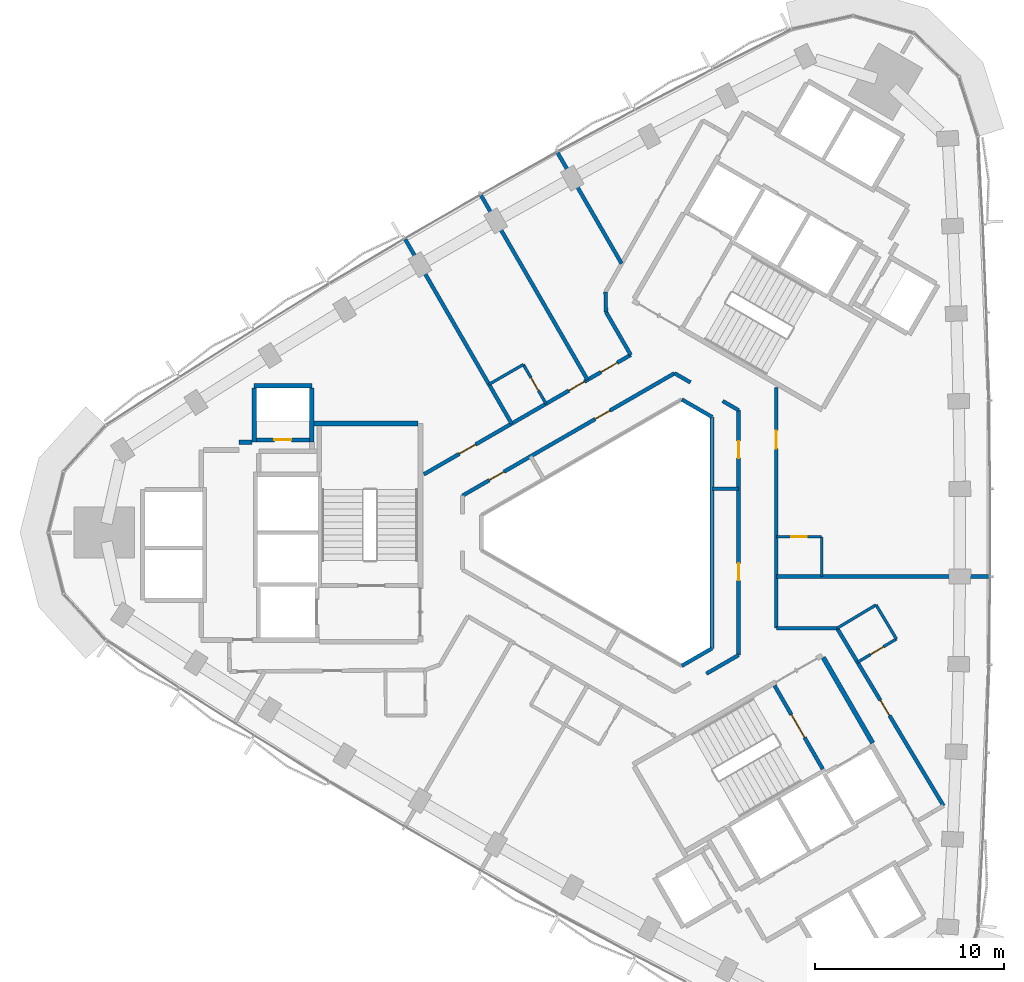
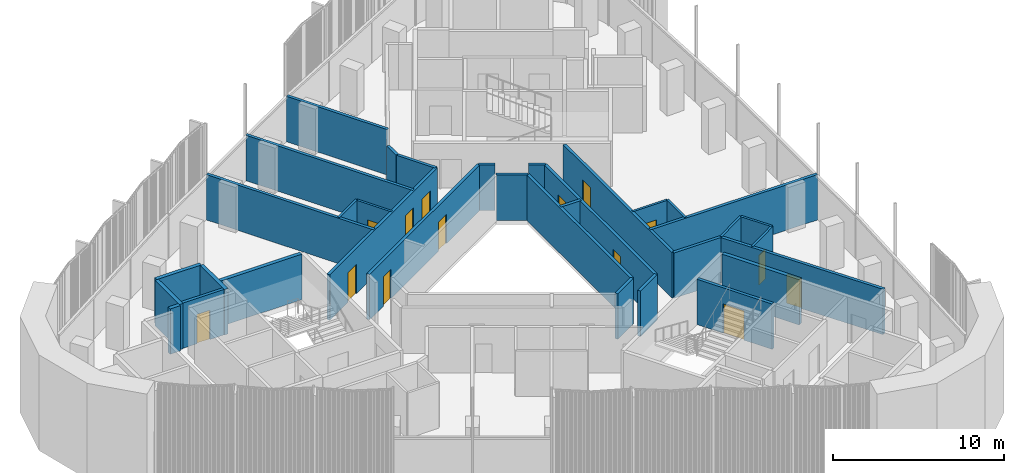
# One storey, part 9 of 14: 34 walls, 14 doors, 14 openings.
"""IFC4 building model written with IfcOpenShell, lengths in metres."""

from ifc_helpers import new_model, si_unit, direction, frame, frame_2d, origin, place, context, subcontext, project, spatial, rectangle, extrude, material, layer, layer_set, type_object, element, fill, save


model = new_model("IFC4")

# Units and contexts
model_context = context("Model", 3, precision=1e-05, world=origin(), true_north=direction((0.0, 1.0)))
body_context = subcontext(model_context, "Body", "Model", "MODEL_VIEW")
ifc_project = project(units=[si_unit("LENGTHUNIT", "METRE"), si_unit("AREAUNIT", "SQUARE_METRE"), si_unit("VOLUMEUNIT", "CUBIC_METRE"), si_unit("PLANEANGLEUNIT", "RADIAN"), si_unit("MASSUNIT", "GRAM", prefix="KILO")], contexts=[model_context])

# Site, building, storey
site_placement = place(None, origin())
site = spatial("IfcSite", under=ifc_project, at=site_placement, CompositionType="ELEMENT")
building_placement = place(site_placement, origin())
building = spatial("IfcBuilding", under=site, at=building_placement, Name="Tamra Quay Hotel Tower", CompositionType="ELEMENT")
storey_placement = place(building_placement, frame((0.0, 0.0, 175.60009765625)))
storey = spatial("IfcBuildingStorey", under=building, at=storey_placement, Name="L43", CompositionType="ELEMENT", Elevation=175.60009765625)

# Wall, opening, door
ifc_material_1 = material(Name="Concrete M70", Category="concrete")
ifc_layer_1 = layer(ifc_material_1, 0.199951171875)
ifc_layer_set_1 = layer_set([ifc_layer_1], Name="Concrete M70 core wall 200")
wall_type_1 = type_object("IfcWallType", Name="Concrete M70 core wall 200", PredefinedType="SHEAR", material=ifc_layer_set_1)
wall_1_placement = place(storey_placement, frame((-19.51123046875, 4.91015625, 0.0), z_axis=(0.0, 0.0, 1.0), x_axis=(1.0, 0.0, 0.0)))
wall_1 = element("IfcWall", 1, at=wall_1_placement, inside=storey, type_object=wall_type_1, Name="CW2", PredefinedType="SHEAR", context=body_context, shape_type="SweptSolid", body=[
    extrude(rectangle(XDim=2.7978515625, YDim=0.199951171875, at=frame_2d((1.39892578125, 0.0))), origin(), (0.0, 0.0, 1.0), 3.25),
])
opening_1_placement = place(wall_1_placement, frame((0.948974609375, 0.0, 0.0)))
opening_1 = element("IfcOpeningElement", 2, at=opening_1_placement, cuts=wall_1, Name="Opening D1", PredefinedType="OPENING", context=body_context, shape_type="SweptSolid", body=[
    extrude(rectangle(XDim=0.89990234375, YDim=2.10009765625, at=frame_2d((0.449951171875, 1.050048828125))), frame((0.0, 0.10986328125, 0.0), z_axis=(0.0, -1.0, 0.0), x_axis=(1.0, 0.0, 0.0)), (0.0, 0.0, 1.0), 0.219970703125),
])
ifc_material_2 = material(Name="Core door D1 900x2100 LH")
door_type_1 = type_object("IfcDoorType", Name="Core door D1 900x2100 LH", OperationType="NOTDEFINED", PredefinedType="DOOR", material=ifc_material_2)
door_1_placement = place(opening_1_placement, origin())
door_1 = element("IfcDoor", 3, at=door_1_placement, inside=storey, type_object=door_type_1, Name="D1", OperationType="SINGLE_SWING_LEFT", OverallHeight=2.10009765625, OverallWidth=0.89990234375, PredefinedType="DOOR", context=body_context, shape_type="SweptSolid", body=[
    extrude(rectangle(XDim=0.89990234375, YDim=2.10009765625, at=frame_2d((0.449951171875, 1.050048828125))), frame((0.0, 0.02490234375, 0.0), z_axis=(0.0, -1.0, 0.0), x_axis=(1.0, 0.0, 0.0)), (0.0, 0.0, 1.0), 0.050048828125),
])
fill(opening_1, door_1)

wall_2_placement = place(storey_placement, frame((7.906494140625, -8.094482421875, 0.0), z_axis=(0.0, 0.0, 1.0), x_axis=(0.500027839223, -0.866009330205, 0.0)))
wall_2 = element("IfcWall", 4, at=wall_2_placement, inside=storey, type_object=wall_type_1, Name="CW2", PredefinedType="SHEAR", context=body_context, shape_type="SweptSolid", body=[
    extrude(rectangle(XDim=5.097900390625, YDim=0.199951171875, at=frame_2d((2.548828125, 0.0))), origin(), (0.0, 0.0, 1.0), 3.25),
])
opening_2_placement = place(wall_2_placement, frame((1.77392578125, 0.0, 0.0)))
opening_2 = element("IfcOpeningElement", 5, at=opening_2_placement, cuts=wall_2, Name="Opening FD2", PredefinedType="OPENING", context=body_context, shape_type="SweptSolid", body=[
    extrude(rectangle(XDim=1.39990234375, YDim=2.10009765625, at=frame_2d((0.699951171875, 1.050048828125))), frame((0.0, 0.10986328125, 0.0), z_axis=(0.0, -1.0, 0.0), x_axis=(1.0, 0.0, 0.0)), (0.0, 0.0, 1.0), 0.219970703125),
])
ifc_material_3 = material(Name="Core door FD2 1400x2100 LH")
door_type_2 = type_object("IfcDoorType", Name="Core door FD2 1400x2100 LH", OperationType="NOTDEFINED", PredefinedType="DOOR", material=ifc_material_3)
door_2_placement = place(opening_2_placement, origin())
door_2 = element("IfcDoor", 6, at=door_2_placement, inside=storey, type_object=door_type_2, Name="FD2", OperationType="SINGLE_SWING_LEFT", OverallHeight=2.10009765625, OverallWidth=1.39990234375, PredefinedType="DOOR", context=body_context, shape_type="SweptSolid", body=[
    extrude(rectangle(XDim=1.39990234375, YDim=2.10009765625, at=frame_2d((0.699951171875, 1.050048828125))), frame((0.0, 0.02490234375, 0.0), z_axis=(0.0, -1.0, 0.0), x_axis=(1.0, 0.0, 0.0)), (0.0, 0.0, 1.0), 0.050048828125),
])
fill(opening_2, door_2)

# Walls
ifc_layer_2 = layer(ifc_material_1, 0.25)
ifc_layer_set_2 = layer_set([ifc_layer_2], Name="Concrete M70 core wall 250")
wall_type_2 = type_object("IfcWallType", Name="Concrete M70 core wall 250", PredefinedType="SHEAR", material=ifc_layer_set_2)
wall_3_placement = place(storey_placement, frame((-16.47216796875, 5.77490234375, 0.0), z_axis=(0.0, 0.0, 1.0), x_axis=(1.0, 0.0, 0.0)))
element("IfcWall", 7, at=wall_3_placement, inside=storey, type_object=wall_type_2, Name="CW1", PredefinedType="SHEAR", context=body_context, shape_type="SweptSolid", body=[
    extrude(rectangle(XDim=5.509521484375, YDim=0.25, at=frame_2d((2.7548828125, 0.0))), origin(), (0.0, 0.0, 1.0), 3.25),
])
wall_4_placement = place(storey_placement, frame((-19.63720703125, 7.77490234375, 0.0), z_axis=(0.0, 0.0, 1.0), x_axis=(1.0, 0.0, 0.0)))
element("IfcWall", 8, at=wall_4_placement, inside=storey, type_object=wall_type_2, Name="CW1", PredefinedType="SHEAR", context=body_context, shape_type="SweptSolid", body=[
    extrude(rectangle(XDim=3.0498046875, YDim=0.25, at=frame_2d((1.52490234375, 0.0))), origin(), (0.0, 0.0, 1.0), 3.25),
])
for number, where, z_axis, x_axis, name in (
    (9, (-16.58740234375, 7.649658203125, 0.0), (0.0, 0.0, 1.0), (0.0, -1.0, 0.0), "CW1"),
    (10, (-19.63720703125, 4.784912109375, 0.0), (0.0, 0.0, 1.0), (0.0, 1.0, 0.0), "CW1"),
):
    element("IfcWall", number, at=place(storey_placement, frame(where, z_axis=z_axis, x_axis=x_axis)), inside=storey, type_object=wall_type_2, Name=name, PredefinedType="SHEAR", context=body_context, shape_type="SweptSolid", body=[
        extrude(rectangle(XDim=2.86474609375, YDim=0.25, at=frame_2d((1.432373046875, 0.0))), origin(), (0.0, 0.0, 1.0), 3.25),
    ])
wall_5_placement = place(storey_placement, frame((-20.447265625, 4.784912109375, 0.0), z_axis=(0.0, 0.0, 1.0), x_axis=(1.0, 0.0, 0.0)))
element("IfcWall", 11, at=wall_5_placement, inside=storey, type_object=wall_type_2, Name="CW1", PredefinedType="SHEAR", context=body_context, shape_type="SweptSolid", body=[
    extrude(rectangle(XDim=0.6845703125, YDim=0.25, at=frame_2d((0.34228515625, 0.0))), origin(), (0.0, 0.0, 1.0), 3.25),
])
wall_6_placement = place(storey_placement, frame((10.482666015625, -6.6064453125, 0.0), z_axis=(0.0, 0.0, 1.0), x_axis=(0.49999885962, -0.866026062182, 0.0)))
element("IfcWall", 12, at=wall_6_placement, inside=storey, type_object=wall_type_2, Name="CW1", PredefinedType="SHEAR", context=body_context, shape_type="SweptSolid", body=[
    extrude(rectangle(XDim=5.224609375, YDim=0.25, at=frame_2d((2.6123046875, 0.0))), origin(), (0.0, 0.0, 1.0), 3.25),
])

# Wall, openings, doors
ifc_material_4 = material(Name="Partition corridor wall")
ifc_layer_3 = layer(ifc_material_4, 0.199951171875)
ifc_layer_set_3 = layer_set([ifc_layer_3], Name="Partition corridor wall")
wall_type_3 = type_object("IfcWallType", Name="Partition corridor wall", PredefinedType="PARTITIONING", material=ifc_layer_set_3)
wall_7_placement = place(storey_placement, frame((-10.65234375, 3.087890625, 0.0), z_axis=(0.0, 0.0, 1.0), x_axis=(0.866031821623, 0.499988883812, 0.0)))
wall_7 = element("IfcWall", 13, at=wall_7_placement, inside=storey, type_object=wall_type_3, Name="W-C", PredefinedType="PARTITIONING", context=body_context, shape_type="SweptSolid", body=[
    extrude(rectangle(XDim=12.638427734375, YDim=0.199951171875, at=frame_2d((6.3193359375, 0.0))), origin(), (0.0, 0.0, 1.0), 3.25),
])
opening_3_placement = place(wall_7_placement, frame((10.8134765625, 0.0, 0.0)))
opening_3 = element("IfcOpeningElement", 14, at=opening_3_placement, cuts=wall_7, Name="Opening L43-D006", PredefinedType="OPENING", context=body_context, shape_type="SweptSolid", body=[
    extrude(rectangle(XDim=1.0, YDim=2.10009765625, at=frame_2d((0.5, 1.050048828125))), frame((0.0, 0.10986328125, 0.0), z_axis=(0.0, -1.0, 0.0), x_axis=(1.0, 0.0, 0.0)), (0.0, 0.0, 1.0), 0.219970703125),
])
opening_4_placement = place(wall_7_placement, frame((8.86181640625, 0.0, 0.0)))
opening_4 = element("IfcOpeningElement", 15, at=opening_4_placement, cuts=wall_7, Name="Opening L43-D007", PredefinedType="OPENING", context=body_context, shape_type="SweptSolid", body=[
    extrude(rectangle(XDim=0.949951171875, YDim=2.10009765625, at=frame_2d((0.47509765625, 1.050048828125))), frame((0.0, 0.10986328125, 0.0), z_axis=(0.0, -1.0, 0.0), x_axis=(1.0, 0.0, 0.0)), (0.0, 0.0, 1.0), 0.219970703125),
])
opening_5_placement = place(wall_7_placement, frame((2.152587890625, 0.0, 0.0)))
opening_5 = element("IfcOpeningElement", 16, at=opening_5_placement, cuts=wall_7, Name="Opening L43-D009", PredefinedType="OPENING", context=body_context, shape_type="SweptSolid", body=[
    extrude(rectangle(XDim=1.0, YDim=2.10009765625, at=frame_2d((0.5, 1.050048828125))), frame((0.0, 0.10986328125, 0.0), z_axis=(0.0, -1.0, 0.0), x_axis=(1.0, 0.0, 0.0)), (0.0, 0.0, 1.0), 0.219970703125),
])
ifc_material_5 = material(Name="Door guest room 1000x2100")
door_type_3 = type_object("IfcDoorType", Name="Door guest room 1000x2100", OperationType="NOTDEFINED", PredefinedType="DOOR", material=ifc_material_5)
door_3_placement = place(opening_3_placement, origin())
door_3 = element("IfcDoor", 17, at=door_3_placement, inside=storey, type_object=door_type_3, Name="L43-D006", OperationType="SINGLE_SWING_LEFT", OverallHeight=2.10009765625, OverallWidth=1.0, PredefinedType="DOOR", context=body_context, shape_type="SweptSolid", body=[
    extrude(rectangle(XDim=1.0, YDim=2.10009765625, at=frame_2d((0.5, 1.050048828125))), frame((0.0, 0.02490234375, 0.0), z_axis=(0.0, -1.0, 0.0), x_axis=(1.0, 0.0, 0.0)), (0.0, 0.0, 1.0), 0.050048828125),
])
fill(opening_3, door_3)
door_4_placement = place(opening_5_placement, origin())
door_4 = element("IfcDoor", 18, at=door_4_placement, inside=storey, type_object=door_type_3, Name="L43-D009", OperationType="SINGLE_SWING_LEFT", OverallHeight=2.10009765625, OverallWidth=1.0, PredefinedType="DOOR", context=body_context, shape_type="SweptSolid", body=[
    extrude(rectangle(XDim=1.0, YDim=2.10009765625, at=frame_2d((0.5, 1.050048828125))), frame((0.0, 0.02490234375, 0.0), z_axis=(0.0, -1.0, 0.0), x_axis=(1.0, 0.0, 0.0)), (0.0, 0.0, 1.0), 0.050048828125),
])
fill(opening_5, door_4)
ifc_material_6 = material(Name="Door guest room 950x2100")
door_type_4 = type_object("IfcDoorType", Name="Door guest room 950x2100", OperationType="NOTDEFINED", PredefinedType="DOOR", material=ifc_material_6)
door_5_placement = place(opening_4_placement, origin())
door_5 = element("IfcDoor", 19, at=door_5_placement, inside=storey, type_object=door_type_4, Name="L43-D007", OperationType="SINGLE_SWING_LEFT", OverallHeight=2.10009765625, OverallWidth=0.949951171875, PredefinedType="DOOR", context=body_context, shape_type="SweptSolid", body=[
    extrude(rectangle(XDim=0.949951171875, YDim=2.10009765625, at=frame_2d((0.47509765625, 1.050048828125))), frame((0.0, 0.02490234375, 0.0), z_axis=(0.0, -1.0, 0.0), x_axis=(1.0, 0.0, 0.0)), (0.0, 0.0, 1.0), 0.050048828125),
])
fill(opening_4, door_5)

wall_8_placement = place(storey_placement, frame((-8.612060546875, 1.9560546875, 0.0), z_axis=(0.0, 0.0, 1.0), x_axis=(0.866034386606, 0.499984440973, 0.0)))
wall_8 = element("IfcWall", 20, at=wall_8_placement, inside=storey, type_object=wall_type_3, Name="W-C", PredefinedType="PARTITIONING", context=body_context, shape_type="SweptSolid", body=[
    extrude(rectangle(XDim=12.96044921875, YDim=0.199951171875, at=frame_2d((6.480224609375, 0.0))), origin(), (0.0, 0.0, 1.0), 3.25),
])
opening_6_placement = place(wall_8_placement, frame((8.10498046875, 0.0, 0.0)))
opening_6 = element("IfcOpeningElement", 21, at=opening_6_placement, cuts=wall_8, Name="Opening L43-D019", PredefinedType="OPENING", context=body_context, shape_type="SweptSolid", body=[
    extrude(rectangle(XDim=0.89990234375, YDim=2.10009765625, at=frame_2d((0.449951171875, 1.050048828125))), frame((0.0, 0.10986328125, 0.0), z_axis=(0.0, -1.0, 0.0), x_axis=(1.0, 0.0, 0.0)), (0.0, 0.0, 1.0), 0.219970703125),
])
opening_7_placement = place(wall_8_placement, frame((1.63671875, 0.0, 0.0)))
opening_7 = element("IfcOpeningElement", 22, at=opening_7_placement, cuts=wall_8, Name="Opening L43-D020", PredefinedType="OPENING", context=body_context, shape_type="SweptSolid", body=[
    extrude(rectangle(XDim=0.89990234375, YDim=2.10009765625, at=frame_2d((0.449951171875, 1.050048828125))), frame((0.0, 0.10986328125, 0.0), z_axis=(0.0, -1.0, 0.0), x_axis=(1.0, 0.0, 0.0)), (0.0, 0.0, 1.0), 0.219970703125),
])
ifc_material_7 = material(Name="Door service room 900x2100")
door_type_5 = type_object("IfcDoorType", Name="Door service room 900x2100", OperationType="NOTDEFINED", PredefinedType="DOOR", material=ifc_material_7)
door_6_placement = place(opening_6_placement, frame((0.89990234375, 0.0, 0.0), z_axis=(0.0, 0.0, 1.0), x_axis=(-1.0, 0.0, 0.0)))
door_6 = element("IfcDoor", 23, at=door_6_placement, inside=storey, type_object=door_type_5, Name="L43-D019", OperationType="SINGLE_SWING_LEFT", OverallHeight=2.10009765625, OverallWidth=0.89990234375, PredefinedType="DOOR", context=body_context, shape_type="SweptSolid", body=[
    extrude(rectangle(XDim=0.89990234375, YDim=2.10009765625, at=frame_2d((0.449951171875, 1.050048828125))), frame((0.0, 0.02490234375, 0.0), z_axis=(0.0, -1.0, 0.0), x_axis=(1.0, 0.0, 0.0)), (0.0, 0.0, 1.0), 0.050048828125),
])
fill(opening_6, door_6)
door_7_placement = place(opening_7_placement, frame((0.89990234375, 0.0, 0.0), z_axis=(0.0, 0.0, 1.0), x_axis=(-1.0, 0.0, 0.0)))
door_7 = element("IfcDoor", 24, at=door_7_placement, inside=storey, type_object=door_type_5, Name="L43-D020", OperationType="SINGLE_SWING_LEFT", OverallHeight=2.10009765625, OverallWidth=0.89990234375, PredefinedType="DOOR", context=body_context, shape_type="SweptSolid", body=[
    extrude(rectangle(XDim=0.89990234375, YDim=2.10009765625, at=frame_2d((0.449951171875, 1.050048828125))), frame((0.0, 0.02490234375, 0.0), z_axis=(0.0, -1.0, 0.0), x_axis=(1.0, 0.0, 0.0)), (0.0, 0.0, 1.0), 0.050048828125),
])
fill(opening_7, door_7)

# Walls
wall_9_placement = place(storey_placement, frame((-1.037109375, 12.740966796875, 0.0), z_axis=(0.0, 0.0, 1.0), x_axis=(0.017040362824, -0.999854802476, 0.0)))
element("IfcWall", 25, at=wall_9_placement, inside=storey, type_object=wall_type_3, Name="W-C", PredefinedType="PARTITIONING", context=body_context, shape_type="SweptSolid", body=[
    extrude(rectangle(XDim=1.060302734375, YDim=0.199951171875, at=frame_2d((0.5302734375, 0.0))), origin(), (0.0, 0.0, 1.0), 3.25),
])
wall_10_placement = place(storey_placement, frame((-1.01904296875, 11.679931640625, 0.0), z_axis=(0.0, 0.0, 1.0), x_axis=(0.499921088291, -0.866070958688, 0.0)))
element("IfcWall", 26, at=wall_10_placement, inside=storey, type_object=wall_type_3, Name="W-C", PredefinedType="PARTITIONING", context=body_context, shape_type="SweptSolid", body=[
    extrude(rectangle(XDim=2.62451171875, YDim=0.199951171875, at=frame_2d((1.312255859375, 0.0))), origin(), (0.0, 0.0, 1.0), 3.25),
])
wall_11_placement = place(storey_placement, frame((2.612060546875, 8.43603515625, 0.0), z_axis=(0.0, 0.0, 1.0), x_axis=(0.866055964107, -0.499947064232, 0.0)))
element("IfcWall", 27, at=wall_11_placement, inside=storey, type_object=wall_type_3, Name="W-C", PredefinedType="PARTITIONING", context=body_context, shape_type="SweptSolid", body=[
    extrude(rectangle(XDim=0.97216796875, YDim=0.199951171875, at=frame_2d((0.486083984375, 0.0))), origin(), (0.0, 0.0, 1.0), 3.25),
])
wall_12_placement = place(storey_placement, frame((4.297119140625, -7.464111328125, 0.0), z_axis=(0.0, 0.0, 1.0), x_axis=(0.866026378386, 0.499998311937, 0.0)))
element("IfcWall", 28, at=wall_12_placement, inside=storey, type_object=wall_type_3, Name="W-C", PredefinedType="PARTITIONING", context=body_context, shape_type="SweptSolid", body=[
    extrude(rectangle(XDim=1.96630859375, YDim=0.199951171875, at=frame_2d((0.983154296875, 0.0))), origin(), (0.0, 0.0, 1.0), 3.25),
])
wall_13_placement = place(storey_placement, frame((5.156005859375, 6.968017578125, 0.0), z_axis=(0.0, 0.0, 1.0), x_axis=(0.866123013327, -0.49983089719, 0.0)))
element("IfcWall", 29, at=wall_13_placement, inside=storey, type_object=wall_type_3, Name="W-C", PredefinedType="PARTITIONING", context=body_context, shape_type="SweptSolid", body=[
    extrude(rectangle(XDim=0.974365234375, YDim=0.199951171875, at=frame_2d((0.4873046875, 0.0))), origin(), (0.0, 0.0, 1.0), 3.25),
])

# Wall, openings, doors
wall_14_placement = place(storey_placement, frame((6.0, -6.48095703125, 0.0), z_axis=(0.0, 0.0, 1.0), x_axis=(0.0, 1.0, 0.0)))
wall_14 = element("IfcWall", 30, at=wall_14_placement, inside=storey, type_object=wall_type_3, Name="W-C", PredefinedType="PARTITIONING", context=body_context, shape_type="SweptSolid", body=[
    extrude(rectangle(XDim=12.9619140625, YDim=0.199951171875, at=frame_2d((6.48095703125, 0.0))), origin(), (0.0, 0.0, 1.0), 3.25),
])
opening_8_placement = place(wall_14_placement, frame((3.9560546875, 0.0, 0.0)))
opening_8 = element("IfcOpeningElement", 31, at=opening_8_placement, cuts=wall_14, Name="Opening L43-D017", PredefinedType="OPENING", context=body_context, shape_type="SweptSolid", body=[
    extrude(rectangle(XDim=0.89990234375, YDim=2.10009765625, at=frame_2d((0.449951171875, 1.050048828125))), frame((0.0, 0.10986328125, 0.0), z_axis=(0.0, -1.0, 0.0), x_axis=(1.0, 0.0, 0.0)), (0.0, 0.0, 1.0), 0.219970703125),
])
opening_9_placement = place(wall_14_placement, frame((10.425048828125, 0.0, 0.0)))
opening_9 = element("IfcOpeningElement", 32, at=opening_9_placement, cuts=wall_14, Name="Opening L43-D018", PredefinedType="OPENING", context=body_context, shape_type="SweptSolid", body=[
    extrude(rectangle(XDim=0.89990234375, YDim=2.10009765625, at=frame_2d((0.449951171875, 1.050048828125))), frame((0.0, 0.10986328125, 0.0), z_axis=(0.0, -1.0, 0.0), x_axis=(1.0, 0.0, 0.0)), (0.0, 0.0, 1.0), 0.219970703125),
])
door_8_placement = place(opening_8_placement, origin())
door_8 = element("IfcDoor", 33, at=door_8_placement, inside=storey, type_object=door_type_5, Name="L43-D017", OperationType="SINGLE_SWING_LEFT", OverallHeight=2.10009765625, OverallWidth=0.89990234375, PredefinedType="DOOR", context=body_context, shape_type="SweptSolid", body=[
    extrude(rectangle(XDim=0.89990234375, YDim=2.10009765625, at=frame_2d((0.449951171875, 1.050048828125))), frame((0.0, 0.02490234375, 0.0), z_axis=(0.0, -1.0, 0.0), x_axis=(1.0, 0.0, 0.0)), (0.0, 0.0, 1.0), 0.050048828125),
])
fill(opening_8, door_8)
door_9_placement = place(opening_9_placement, origin())
door_9 = element("IfcDoor", 34, at=door_9_placement, inside=storey, type_object=door_type_5, Name="L43-D018", OperationType="SINGLE_SWING_LEFT", OverallHeight=2.10009765625, OverallWidth=0.89990234375, PredefinedType="DOOR", context=body_context, shape_type="SweptSolid", body=[
    extrude(rectangle(XDim=0.89990234375, YDim=2.10009765625, at=frame_2d((0.449951171875, 1.050048828125))), frame((0.0, 0.02490234375, 0.0), z_axis=(0.0, -1.0, 0.0), x_axis=(1.0, 0.0, 0.0)), (0.0, 0.0, 1.0), 0.050048828125),
])
fill(opening_9, door_9)

# Wall, opening, door
wall_15_placement = place(storey_placement, frame((8.0, -5.05810546875, 0.0), z_axis=(0.0, 0.0, 1.0), x_axis=(0.0, 1.0, 0.0)))
wall_15 = element("IfcWall", 35, at=wall_15_placement, inside=storey, type_object=wall_type_3, Name="W-C", PredefinedType="PARTITIONING", context=body_context, shape_type="SweptSolid", body=[
    extrude(rectangle(XDim=12.739501953125, YDim=0.199951171875, at=frame_2d((6.36962890625, 0.0))), origin(), (0.0, 0.0, 1.0), 3.25),
])
opening_10_placement = place(wall_15_placement, frame((9.508056640625, 0.0, 0.0)))
opening_10 = element("IfcOpeningElement", 36, at=opening_10_placement, cuts=wall_15, Name="Opening L43-D003", PredefinedType="OPENING", context=body_context, shape_type="SweptSolid", body=[
    extrude(rectangle(XDim=0.949951171875, YDim=2.10009765625, at=frame_2d((0.47509765625, 1.050048828125))), frame((0.0, 0.10986328125, 0.0), z_axis=(0.0, -1.0, 0.0), x_axis=(1.0, 0.0, 0.0)), (0.0, 0.0, 1.0), 0.219970703125),
])
door_10_placement = place(opening_10_placement, frame((0.949951171875, 0.0, 0.0), z_axis=(0.0, 0.0, 1.0), x_axis=(-1.0, 0.0, 0.0)))
door_10 = element("IfcDoor", 37, at=door_10_placement, inside=storey, type_object=door_type_4, Name="L43-D003", OperationType="SINGLE_SWING_LEFT", OverallHeight=2.10009765625, OverallWidth=0.949951171875, PredefinedType="DOOR", context=body_context, shape_type="SweptSolid", body=[
    extrude(rectangle(XDim=0.949951171875, YDim=2.10009765625, at=frame_2d((0.47509765625, 1.050048828125))), frame((0.0, 0.02490234375, 0.0), z_axis=(0.0, -1.0, 0.0), x_axis=(1.0, 0.0, 0.0)), (0.0, 0.0, 1.0), 0.050048828125),
])
fill(opening_10, door_10)

# Wall
wall_16_placement = place(storey_placement, frame((8.0, -5.05810546875, 0.0), z_axis=(0.0, 0.0, 1.0), x_axis=(1.0, 0.0, 0.0)))
element("IfcWall", 38, at=wall_16_placement, inside=storey, type_object=wall_type_3, Name="W-C", PredefinedType="PARTITIONING", context=body_context, shape_type="SweptSolid", body=[
    extrude(rectangle(XDim=3.216064453125, YDim=0.199951171875, at=frame_2d((1.60791015625, 0.0))), origin(), (0.0, 0.0, 1.0), 3.25),
])

# Wall, opening, door
wall_17_placement = place(storey_placement, frame((11.216064453125, -5.05810546875, 0.0), z_axis=(0.0, 0.0, 1.0), x_axis=(0.51393500197, -0.857829128527, 0.0)))
wall_17 = element("IfcWall", 39, at=wall_17_placement, inside=storey, type_object=wall_type_3, Name="W-C", PredefinedType="PARTITIONING", context=body_context, shape_type="SweptSolid", body=[
    extrude(rectangle(XDim=10.95068359375, YDim=0.199951171875, at=frame_2d((5.475341796875, 0.0))), origin(), (0.0, 0.0, 1.0), 3.25),
])
opening_11_placement = place(wall_17_placement, frame((4.437744140625, 0.0, 0.0)))
opening_11 = element("IfcOpeningElement", 40, at=opening_11_placement, cuts=wall_17, Name="Opening L43-D001", PredefinedType="OPENING", context=body_context, shape_type="SweptSolid", body=[
    extrude(rectangle(XDim=0.949951171875, YDim=2.10009765625, at=frame_2d((0.47509765625, 1.050048828125))), frame((0.0, 0.10986328125, 0.0), z_axis=(0.0, -1.0, 0.0), x_axis=(1.0, 0.0, 0.0)), (0.0, 0.0, 1.0), 0.219970703125),
])
door_11_placement = place(opening_11_placement, origin())
door_11 = element("IfcDoor", 41, at=door_11_placement, inside=storey, type_object=door_type_4, Name="L43-D001", OperationType="SINGLE_SWING_LEFT", OverallHeight=2.10009765625, OverallWidth=0.949951171875, PredefinedType="DOOR", context=body_context, shape_type="SweptSolid", body=[
    extrude(rectangle(XDim=0.949951171875, YDim=2.10009765625, at=frame_2d((0.47509765625, 1.050048828125))), frame((0.0, 0.02490234375, 0.0), z_axis=(0.0, -1.0, 0.0), x_axis=(1.0, 0.0, 0.0)), (0.0, 0.0, 1.0), 0.050048828125),
])
fill(opening_11, door_11)

# Wall
ifc_material_8 = material(Name="Partition en-suite wall")
ifc_layer_4 = layer(ifc_material_8, 0.14990234375)
ifc_layer_set_4 = layer_set([ifc_layer_4], Name="Partition en-suite wall")
wall_type_4 = type_object("IfcWallType", Name="Partition en-suite wall", PredefinedType="PARTITIONING", material=ifc_layer_set_4)
wall_18_placement = place(storey_placement, frame((-7.2080078125, 7.846923828125, 0.0), z_axis=(0.0, 0.0, 1.0), x_axis=(0.865749785376, 0.500477081515, 0.0)))
element("IfcWall", 42, at=wall_18_placement, inside=storey, type_object=wall_type_4, Name="W-E", PredefinedType="PARTITIONING", context=body_context, shape_type="SweptSolid", body=[
    extrude(rectangle(XDim=2.10009765625, YDim=0.14990234375, at=frame_2d((1.050048828125, 0.0))), origin(), (0.0, 0.0, 1.0), 3.25),
])

# Wall, opening, door
wall_19_placement = place(storey_placement, frame((-5.389892578125, 8.89794921875, 0.0), z_axis=(0.0, 0.0, 1.0), x_axis=(0.500218298882, -0.865899332177, 0.0)))
wall_19 = element("IfcWall", 43, at=wall_19_placement, inside=storey, type_object=wall_type_4, Name="W-E", PredefinedType="PARTITIONING", context=body_context, shape_type="SweptSolid", body=[
    extrude(rectangle(XDim=2.40087890625, YDim=0.14990234375, at=frame_2d((1.200439453125, 0.0))), origin(), (0.0, 0.0, 1.0), 3.25),
])
opening_12_placement = place(wall_19_placement, frame((0.80078125, 0.0, 0.0)))
opening_12 = element("IfcOpeningElement", 44, at=opening_12_placement, cuts=wall_19, Name="Opening L43-D008", PredefinedType="OPENING", context=body_context, shape_type="SweptSolid", body=[
    extrude(rectangle(XDim=0.800048828125, YDim=2.10009765625, at=frame_2d((0.39990234375, 1.050048828125))), frame((0.0, 0.0849609375, 0.0), z_axis=(0.0, -1.0, 0.0), x_axis=(1.0, 0.0, 0.0)), (0.0, 0.0, 1.0), 0.169921875),
])
ifc_material_9 = material(Name="Door en-suite 800x2100")
door_type_6 = type_object("IfcDoorType", Name="Door en-suite 800x2100", OperationType="NOTDEFINED", PredefinedType="DOOR", material=ifc_material_9)
door_12_placement = place(opening_12_placement, origin())
door_12 = element("IfcDoor", 45, at=door_12_placement, inside=storey, type_object=door_type_6, Name="L43-D008", OperationType="SINGLE_SWING_LEFT", OverallHeight=2.10009765625, OverallWidth=0.800048828125, PredefinedType="DOOR", context=body_context, shape_type="SweptSolid", body=[
    extrude(rectangle(XDim=0.800048828125, YDim=2.10009765625, at=frame_2d((0.39990234375, 1.050048828125))), frame((0.0, 0.02490234375, 0.0), z_axis=(0.0, -1.0, 0.0), x_axis=(1.0, 0.0, 0.0)), (0.0, 0.0, 1.0), 0.050048828125),
])
fill(opening_12, door_12)

wall_20_placement = place(storey_placement, frame((8.0009765625, -0.218994140625, 0.0), z_axis=(0.0, 0.0, 1.0), x_axis=(1.0, 0.0, 0.0)))
wall_20 = element("IfcWall", 46, at=wall_20_placement, inside=storey, type_object=wall_type_4, Name="W-E", PredefinedType="PARTITIONING", context=body_context, shape_type="SweptSolid", body=[
    extrude(rectangle(XDim=2.39697265625, YDim=0.14990234375, at=frame_2d((1.198486328125, 0.0))), origin(), (0.0, 0.0, 1.0), 3.25),
])
opening_13_placement = place(wall_20_placement, frame((0.799072265625, 0.0, 0.0)))
opening_13 = element("IfcOpeningElement", 47, at=opening_13_placement, cuts=wall_20, Name="Opening L43-D004", PredefinedType="OPENING", context=body_context, shape_type="SweptSolid", body=[
    extrude(rectangle(XDim=0.800048828125, YDim=2.10009765625, at=frame_2d((0.39990234375, 1.050048828125))), frame((0.0, 0.0849609375, 0.0), z_axis=(0.0, -1.0, 0.0), x_axis=(1.0, 0.0, 0.0)), (0.0, 0.0, 1.0), 0.169921875),
])
door_13_placement = place(opening_13_placement, origin())
door_13 = element("IfcDoor", 48, at=door_13_placement, inside=storey, type_object=door_type_6, Name="L43-D004", OperationType="SINGLE_SWING_LEFT", OverallHeight=2.10009765625, OverallWidth=0.800048828125, PredefinedType="DOOR", context=body_context, shape_type="SweptSolid", body=[
    extrude(rectangle(XDim=0.800048828125, YDim=2.10009765625, at=frame_2d((0.39990234375, 1.050048828125))), frame((0.0, 0.02490234375, 0.0), z_axis=(0.0, -1.0, 0.0), x_axis=(1.0, 0.0, 0.0)), (0.0, 0.0, 1.0), 0.050048828125),
])
fill(opening_13, door_13)

# Walls
wall_21_placement = place(storey_placement, frame((10.39990234375, -2.318115234375, 0.0), z_axis=(0.0, 0.0, 1.0), x_axis=(0.0, 1.0, 0.0)))
element("IfcWall", 49, at=wall_21_placement, inside=storey, type_object=wall_type_4, Name="W-E", PredefinedType="PARTITIONING", context=body_context, shape_type="SweptSolid", body=[
    extrude(rectangle(XDim=2.09716796875, YDim=0.14990234375, at=frame_2d((1.048583984375, 0.0))), origin(), (0.0, 0.0, 1.0), 3.25),
])
wall_22_placement = place(storey_placement, frame((11.216064453125, -5.05810546875, 0.0), z_axis=(0.0, 0.0, 1.0), x_axis=(0.85788762415, 0.51383735202, 0.0)))
element("IfcWall", 50, at=wall_22_placement, inside=storey, type_object=wall_type_4, Name="W-E", PredefinedType="PARTITIONING", context=body_context, shape_type="SweptSolid", body=[
    extrude(rectangle(XDim=2.39990234375, YDim=0.14990234375, at=frame_2d((1.199951171875, 0.0))), origin(), (0.0, 0.0, 1.0), 3.25),
])

# Wall, opening, door
wall_23_placement = place(storey_placement, frame((12.294921875, -6.85888671875, 0.0), z_axis=(0.0, 0.0, 1.0), x_axis=(0.857959316897, 0.513717636985, 0.0)))
wall_23 = element("IfcWall", 51, at=wall_23_placement, inside=storey, type_object=wall_type_4, Name="W-E", PredefinedType="PARTITIONING", context=body_context, shape_type="SweptSolid", body=[
    extrude(rectangle(XDim=2.39990234375, YDim=0.14990234375, at=frame_2d((1.199951171875, 0.0))), origin(), (0.0, 0.0, 1.0), 3.25),
])
opening_14_placement = place(wall_23_placement, frame((0.7998046875, 0.0, 0.0)))
opening_14 = element("IfcOpeningElement", 52, at=opening_14_placement, cuts=wall_23, Name="Opening L43-D002", PredefinedType="OPENING", context=body_context, shape_type="SweptSolid", body=[
    extrude(rectangle(XDim=0.800048828125, YDim=2.10009765625, at=frame_2d((0.39990234375, 1.050048828125))), frame((0.0, 0.0849609375, 0.0), z_axis=(0.0, -1.0, 0.0), x_axis=(1.0, 0.0, 0.0)), (0.0, 0.0, 1.0), 0.169921875),
])
door_14_placement = place(opening_14_placement, frame((0.800048828125, 0.0, 0.0), z_axis=(0.0, 0.0, 1.0), x_axis=(-1.0, 0.0, 0.0)))
door_14 = element("IfcDoor", 53, at=door_14_placement, inside=storey, type_object=door_type_6, Name="L43-D002", OperationType="SINGLE_SWING_LEFT", OverallHeight=2.10009765625, OverallWidth=0.800048828125, PredefinedType="DOOR", context=body_context, shape_type="SweptSolid", body=[
    extrude(rectangle(XDim=0.800048828125, YDim=2.10009765625, at=frame_2d((0.39990234375, 1.050048828125))), frame((0.0, 0.02490234375, 0.0), z_axis=(0.0, -1.0, 0.0), x_axis=(1.0, 0.0, 0.0)), (0.0, 0.0, 1.0), 0.050048828125),
])
fill(opening_14, door_14)

# Walls
wall_24_placement = place(storey_placement, frame((13.27490234375, -3.824951171875, 0.0), z_axis=(0.0, 0.0, 1.0), x_axis=(0.513965548914, -0.857810826773, 0.0)))
element("IfcWall", 54, at=wall_24_placement, inside=storey, type_object=wall_type_4, Name="W-E", PredefinedType="PARTITIONING", context=body_context, shape_type="SweptSolid", body=[
    extrude(rectangle(XDim=2.099609375, YDim=0.14990234375, at=frame_2d((1.0498046875, 0.0))), origin(), (0.0, 0.0, 1.0), 3.25),
])
ifc_material_10 = material(Name="Partition party wall")
ifc_layer_5 = layer(ifc_material_10, 0.199951171875)
ifc_layer_set_5 = layer_set([ifc_layer_5], Name="Partition party wall")
wall_type_5 = type_object("IfcWallType", Name="Partition party wall", PredefinedType="PARTITIONING", material=ifc_layer_set_5)
wall_25_placement = place(storey_placement, frame((-11.661376953125, 15.560546875, 0.0), z_axis=(0.0, 0.0, 1.0), x_axis=(0.499987250653, -0.866032764498, 0.0)))
element("IfcWall", 55, at=wall_25_placement, inside=storey, type_object=wall_type_5, Name="W-P", PredefinedType="PARTITIONING", context=body_context, shape_type="SweptSolid", body=[
    extrude(rectangle(XDim=11.306396484375, YDim=0.199951171875, at=frame_2d((5.6533203125, 0.0))), origin(), (0.0, 0.0, 1.0), 3.25),
])
wall_26_placement = place(storey_placement, frame((-7.6455078125, 17.87890625, 0.0), z_axis=(0.0, 0.0, 1.0), x_axis=(0.500047691386, -0.865997867399, 0.0)))
element("IfcWall", 56, at=wall_26_placement, inside=storey, type_object=wall_type_5, Name="W-P", PredefinedType="PARTITIONING", context=body_context, shape_type="SweptSolid", body=[
    extrude(rectangle(XDim=11.30615234375, YDim=0.199951171875, at=frame_2d((5.653076171875, 0.0))), origin(), (0.0, 0.0, 1.0), 3.25),
])
wall_27_placement = place(storey_placement, frame((-3.59765625, 20.141845703125, 0.0), z_axis=(0.0, 0.0, 1.0), x_axis=(0.500075890333, -0.865981584047, 0.0)))
element("IfcWall", 57, at=wall_27_placement, inside=storey, type_object=wall_type_5, Name="W-P", PredefinedType="PARTITIONING", context=body_context, shape_type="SweptSolid", body=[
    extrude(rectangle(XDim=6.81640625, YDim=0.199951171875, at=frame_2d((3.408203125, 0.0))), origin(), (0.0, 0.0, 1.0), 3.25),
])
for number, where, z_axis, x_axis, name in (
    (58, (3.000244140625, -7.04443359375, 0.0), (0.0, 0.0, 1.0), (0.865875248522, 0.500259986404, 0.0), "W-P"),
    (59, (3.000244140625, 7.04443359375, 0.0), (0.0, 0.0, 1.0), (0.865875248522, -0.500259986404, 0.0), "W-P"),
):
    element("IfcWall", number, at=place(storey_placement, frame(where, z_axis=z_axis, x_axis=x_axis)), inside=storey, type_object=wall_type_5, Name=name, PredefinedType="PARTITIONING", context=body_context, shape_type="SweptSolid", body=[
        extrude(rectangle(XDim=1.84765625, YDim=0.199951171875, at=frame_2d((0.923828125, 0.0))), origin(), (0.0, 0.0, 1.0), 3.25),
    ])
wall_28_placement = place(storey_placement, frame((4.60009765625, -6.1201171875, 0.0), z_axis=(0.0, 0.0, 1.0), x_axis=(0.0, 1.0, 0.0)))
element("IfcWall", 60, at=wall_28_placement, inside=storey, type_object=wall_type_5, Name="W-P", PredefinedType="PARTITIONING", context=body_context, shape_type="SweptSolid", body=[
    extrude(rectangle(XDim=12.240234375, YDim=0.199951171875, at=frame_2d((6.1201171875, 0.0))), origin(), (0.0, 0.0, 1.0), 3.25),
])
wall_29_placement = place(storey_placement, frame((4.60009765625, 2.319091796875, 0.0), z_axis=(0.0, 0.0, 1.0), x_axis=(1.0, 0.0, 0.0)))
element("IfcWall", 61, at=wall_29_placement, inside=storey, type_object=wall_type_5, Name="W-P", PredefinedType="PARTITIONING", context=body_context, shape_type="SweptSolid", body=[
    extrude(rectangle(XDim=1.39990234375, YDim=0.199951171875, at=frame_2d((0.699951171875, 0.0))), origin(), (0.0, 0.0, 1.0), 3.25),
])
wall_30_placement = place(storey_placement, frame((8.0, -2.319091796875, 0.0), z_axis=(0.0, 0.0, 1.0), x_axis=(1.0, 0.0, 0.0)))
element("IfcWall", 62, at=wall_30_placement, inside=storey, type_object=wall_type_5, Name="W-P", PredefinedType="PARTITIONING", context=body_context, shape_type="SweptSolid", body=[
    extrude(rectangle(XDim=11.306396484375, YDim=0.199951171875, at=frame_2d((5.6533203125, 0.0))), origin(), (0.0, 0.0, 1.0), 3.25),
])

save(model, "model.ifc")
